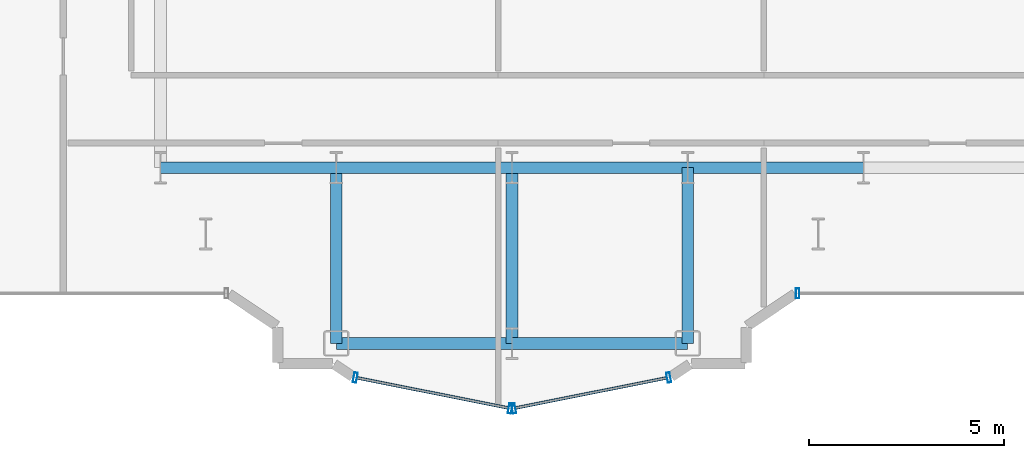
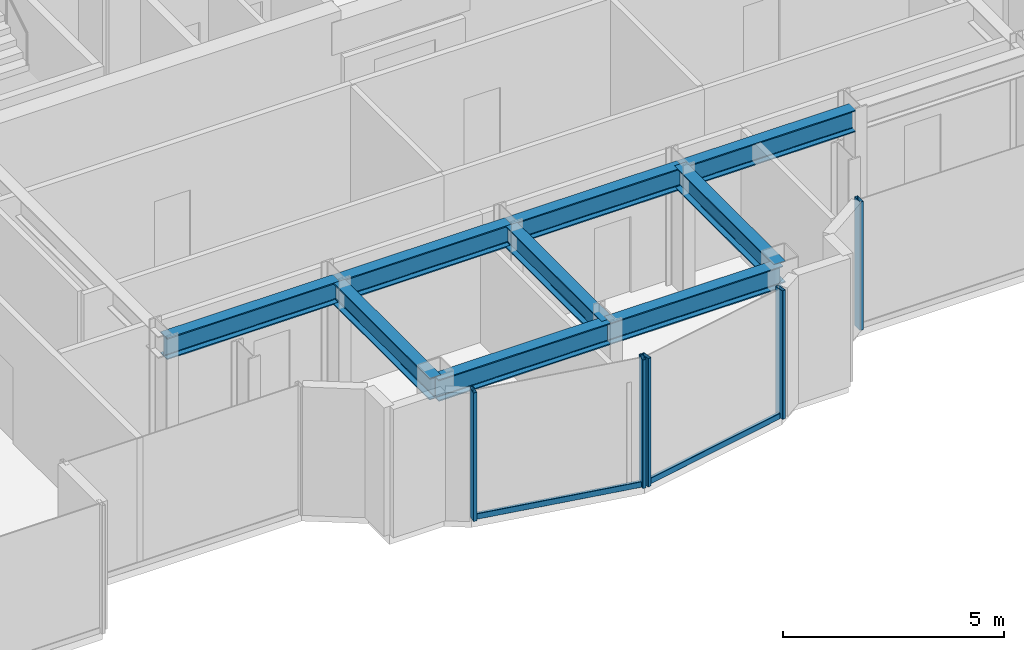
# One storey, part 3 of 20: 9 beams, 7 members, 3 elements without a shape of their own.
"""IFC4 building model written with IfcOpenShell, lengths in metres."""

from ifc_helpers import new_model, si_unit, direction, frame, origin, origin_2d, place, context, subcontext, project, spatial, hollow_rectangle, i_section, extrude, source, transform, mapped, material, layer, layer_set, material_profile, profile_set, type_object, element, aggregate, save


model = new_model("IFC4")

# Units and contexts
model_context = context("Model", 3, precision=1e-05, world=origin(), true_north=direction((0.0, 1.0)))
body_context = subcontext(model_context, "Body", "Model", "MODEL_VIEW")
ifc_project = project(units=[si_unit("LENGTHUNIT", "METRE"), si_unit("AREAUNIT", "SQUARE_METRE"), si_unit("VOLUMEUNIT", "CUBIC_METRE"), si_unit("PLANEANGLEUNIT", "RADIAN"), si_unit("MASSUNIT", "GRAM", prefix="KILO")], contexts=[model_context])

# Site, building, storey
site_placement = place(None, origin())
site = spatial("IfcSite", under=ifc_project, at=site_placement, CompositionType="ELEMENT")
building_placement = place(site_placement, origin())
building = spatial("IfcBuilding", under=site, at=building_placement, Name="Nefas-Gora Pilgrimage Tower", CompositionType="ELEMENT")
storey_placement = place(building_placement, frame((0.0, 0.0, 221.800048828125)))
storey = spatial("IfcBuildingStorey", under=building, at=storey_placement, Name="L55", CompositionType="ELEMENT", Elevation=221.800048828125)

# Beams
ifc_material_1 = material(Name="Steel S355", Category="steel")
ifc_material_profile_1 = material_profile(ifc_material_1, i_section(OverallWidth=0.300048828125, OverallDepth=0.60009765625, WebThickness=0.015380859375, FlangeThickness=0.030029296875, FilletRadius=0.027099609375, at=origin_2d()), Name="HEB 600")
ifc_profile_set_1 = profile_set([ifc_material_profile_1], Name="Steel S355")
beam_type = type_object("IfcBeamType", Name="BM-GIR-HEB600", PredefinedType="BEAM", material=ifc_profile_set_1)
shared_shape_1 = source(origin(), body_context, "Body", "SweptSolid", [
    extrude(i_section(OverallWidth=0.300048828125, OverallDepth=0.60009765625, WebThickness=0.015380859375, FlangeThickness=0.030029296875, FilletRadius=0.027099609375, at=origin_2d()), origin(), (0.0, 0.0, 1.0), 4.5),
])
for number, where, z_axis, x_axis, name in (
    (1, (-11.25, -18.0, 3.25), (1.0, 0.0, 0.0), (0.0, 1.0, 0.0), "L55 G-04 beam"),
    (2, (-6.75, -22.5, 3.25), (0.0, 1.0, 0.0), (-1.0, 0.0, 0.0), "L55 G-04 beam"),
    (3, (-6.75, -22.5, 3.25), (1.0, 0.0, 0.0), (0.0, 1.0, 0.0), "L55 G-04 beam"),
    (4, (-6.75, -18.0, 3.25), (1.0, 0.0, 0.0), (0.0, 1.0, 0.0), "L55 G-04 beam"),
    (5, (-2.25, -22.5, 3.25), (0.0, 1.0, 0.0), (-1.0, 0.0, 0.0), "L55 G-04 beam"),
    (6, (-2.25, -22.5, 3.25), (1.0, 0.0, 0.0), (0.0, 1.0, 0.0), "L55 G-04 beam"),
    (7, (-2.25, -18.0, 3.25), (1.0, 0.0, 0.0), (0.0, 1.0, 0.0), "L55 G-04 beam"),
    (8, (2.25, -22.5, 3.25), (0.0, 1.0, 0.0), (-1.0, 0.0, 0.0), "L55 G-04 beam"),
    (9, (2.25, -18.0, 3.25), (1.0, 0.0, 0.0), (0.0, 1.0, 0.0), "L55 G-04 beam"),
):
    element("IfcBeam", number, at=place(storey_placement, frame(where, z_axis=z_axis, x_axis=x_axis)), inside=storey, type_object=beam_type, Name=name, PredefinedType="BEAM", context=body_context, shape_type="MappedRepresentation", body=[
        mapped(shared_shape_1, transform((0.0, 0.0, 0.0), x_axis=(1.0, 0.0, 0.0), y_axis=(0.0, 1.0, 0.0), z_axis=(0.0, 0.0, 1.0), scale=1.0)),
    ])

# Curtain wall, member
ifc_material_2 = material(Name="Dark ceramic-fritted solar-control aluminium-glass curtain wall", Category="aluminium")
ifc_layer = layer(ifc_material_2, 0.219970703125)
ifc_layer_set = layer_set([ifc_layer], Name="Dark ceramic-fritted solar-control aluminium-glass curtain wall")
curtain_wall_type = type_object("IfcCurtainWallType", Name="CW-SYS-5", PredefinedType="NOTDEFINED", material=ifc_layer_set)
curtain_wall_1_placement = place(storey_placement, origin())
curtain_wall_1 = element("IfcCurtainWall", 10, at=curtain_wall_1_placement, inside=storey, type_object=curtain_wall_type, Name="L55 Unitised Curtain Wall CW5", PredefinedType="NOTDEFINED")
ifc_material_3 = material(Name="Anodised architectural aluminium", Category="aluminium")
ifc_material_profile_2 = material_profile(ifc_material_3, hollow_rectangle(XDim=0.090087890625, YDim=0.260009765625, WallThickness=0.006103515625, InnerFilletRadius=0.006103515625, OuterFilletRadius=0.011962890625, at=origin_2d()), Name="ALU MULLION 90x260")
ifc_profile_set_2 = profile_set([ifc_material_profile_2], Name="Anodised architectural aluminium")
member_type_1 = type_object("IfcMemberType", Name="CWM-MUL-5", PredefinedType="MULLION", material=ifc_profile_set_2)
shared_shape_2 = source(origin(), body_context, "Body", "SweptSolid", [
    extrude(hollow_rectangle(XDim=0.090087890625, YDim=0.260009765625, WallThickness=0.006103515625, InnerFilletRadius=0.006103515625, OuterFilletRadius=0.011962890625, at=origin_2d()), origin(), (0.0, 0.0, 1.0), 3.550048828125),
])
member_1_placement = place(storey_placement, frame((5.06298828125, -21.219970703125, 0.0), z_axis=(0.0, 0.0, 1.0), x_axis=(1.0, 0.0, 0.0)))
member_1 = element("IfcMember", 11, at=member_1_placement, type_object=member_type_1, Name="CW5 Mullion 1", PredefinedType="MULLION", context=body_context, shape_type="MappedRepresentation", body=[
    mapped(shared_shape_2, transform((0.0, 0.0, 0.0), x_axis=(1.0, 0.0, 0.0), y_axis=(0.0, 1.0, 0.0), z_axis=(0.0, 0.0, 1.0), scale=1.0)),
])
aggregate(curtain_wall_1, [member_1])

# Curtain wall, members
curtain_wall_2_placement = place(storey_placement, origin())
curtain_wall_2 = element("IfcCurtainWall", 12, at=curtain_wall_2_placement, inside=storey, type_object=curtain_wall_type, Name="L55 Unitised Curtain Wall CW5", PredefinedType="NOTDEFINED")
member_2_placement = place(storey_placement, frame((-6.26318359375, -23.3740234375, 0.0), z_axis=(0.0, 0.0, 1.0), x_axis=(0.980782896852, -0.195102304554, 0.0)))
member_2 = element("IfcMember", 13, at=member_2_placement, type_object=member_type_1, Name="CW5 Mullion 1", PredefinedType="MULLION", context=body_context, shape_type="MappedRepresentation", body=[
    mapped(shared_shape_2, transform((0.0, 0.0, 0.0), x_axis=(1.0, 0.0, 0.0), y_axis=(0.0, 1.0, 0.0), z_axis=(0.0, 0.0, 1.0), scale=1.0)),
])
member_3_placement = place(storey_placement, frame((-2.294189453125, -24.16357421875, 0.0), z_axis=(0.0, 0.0, 1.0), x_axis=(0.980782896852, -0.195102304554, 0.0)))
member_3 = element("IfcMember", 14, at=member_3_placement, type_object=member_type_1, Name="CW5 Mullion 2", PredefinedType="MULLION", context=body_context, shape_type="MappedRepresentation", body=[
    mapped(shared_shape_2, transform((0.0, 0.0, 0.0), x_axis=(1.0, 0.0, 0.0), y_axis=(0.0, 1.0, 0.0), z_axis=(0.0, 0.0, 1.0), scale=1.0)),
])

curtain_wall_3_placement = place(storey_placement, origin())
curtain_wall_3 = element("IfcCurtainWall", 15, at=curtain_wall_3_placement, inside=storey, type_object=curtain_wall_type, Name="L55 Unitised Curtain Wall CW5", PredefinedType="NOTDEFINED")
member_4_placement = place(storey_placement, frame((-2.205810546875, -24.16357421875, 0.0), z_axis=(0.0, 0.0, 1.0), x_axis=(0.980782896852, 0.195102304554, 0.0)))
member_4 = element("IfcMember", 16, at=member_4_placement, type_object=member_type_1, Name="CW5 Mullion 1", PredefinedType="MULLION", context=body_context, shape_type="MappedRepresentation", body=[
    mapped(shared_shape_2, transform((0.0, 0.0, 0.0), x_axis=(1.0, 0.0, 0.0), y_axis=(0.0, 1.0, 0.0), z_axis=(0.0, 0.0, 1.0), scale=1.0)),
])
member_5_placement = place(storey_placement, frame((1.76318359375, -23.3740234375, 0.0), z_axis=(0.0, 0.0, 1.0), x_axis=(0.980782896852, 0.195102304554, 0.0)))
member_5 = element("IfcMember", 17, at=member_5_placement, type_object=member_type_1, Name="CW5 Mullion 2", PredefinedType="MULLION", context=body_context, shape_type="MappedRepresentation", body=[
    mapped(shared_shape_2, transform((0.0, 0.0, 0.0), x_axis=(1.0, 0.0, 0.0), y_axis=(0.0, 1.0, 0.0), z_axis=(0.0, 0.0, 1.0), scale=1.0)),
])

# Member
ifc_material_profile_3 = material_profile(ifc_material_3, hollow_rectangle(XDim=0.080078125, YDim=0.159912109375, WallThickness=0.00439453125, InnerFilletRadius=0.00439453125, OuterFilletRadius=0.009033203125, at=origin_2d()), Name="ALU TRANSOM 80x160")
ifc_profile_set_3 = profile_set([ifc_material_profile_3], Name="Anodised architectural aluminium")
member_type_2 = type_object("IfcMemberType", Name="CWM-TRN-5", PredefinedType="USERDEFINED", material=ifc_profile_set_3)
shared_shape_3 = source(origin(), body_context, "Body", "SweptSolid", [
    extrude(hollow_rectangle(XDim=0.080078125, YDim=0.159912109375, WallThickness=0.00439453125, InnerFilletRadius=0.00439453125, OuterFilletRadius=0.009033203125, at=origin_2d()), origin(), (0.0, 0.0, 1.0), 3.95654296875),
])
member_6_placement = place(storey_placement, frame((-6.218994140625, -23.3828125, 0.050048828125), z_axis=(0.980781880918, -0.195107411605, 0.0), x_axis=(0.195107411605, 0.980781880918, 0.0)))
member_6 = element("IfcMember", 18, at=member_6_placement, type_object=member_type_2, Name="CW5 Spandrel Transom", ObjectType="TRANSOM", PredefinedType="USERDEFINED", context=body_context, shape_type="MappedRepresentation", body=[
    mapped(shared_shape_3, transform((0.0, 0.0, 0.0), x_axis=(1.0, 0.0, 0.0), y_axis=(0.0, 1.0, 0.0), z_axis=(0.0, 0.0, 1.0), scale=1.0)),
])

aggregate(curtain_wall_2, [member_2, member_3, member_6])

member_7_placement = place(storey_placement, frame((-2.16162109375, -24.15478515625, 0.050048828125), z_axis=(0.980781880918, 0.195107411605, 0.0), x_axis=(-0.195107411605, 0.980781880918, 0.0)))
member_7 = element("IfcMember", 19, at=member_7_placement, type_object=member_type_2, Name="CW5 Spandrel Transom", ObjectType="TRANSOM", PredefinedType="USERDEFINED", context=body_context, shape_type="MappedRepresentation", body=[
    mapped(shared_shape_3, transform((0.0, 0.0, 0.0), x_axis=(1.0, 0.0, 0.0), y_axis=(0.0, 1.0, 0.0), z_axis=(0.0, 0.0, 1.0), scale=1.0)),
])

aggregate(curtain_wall_3, [member_4, member_5, member_7])

save(model, "model.ifc")
